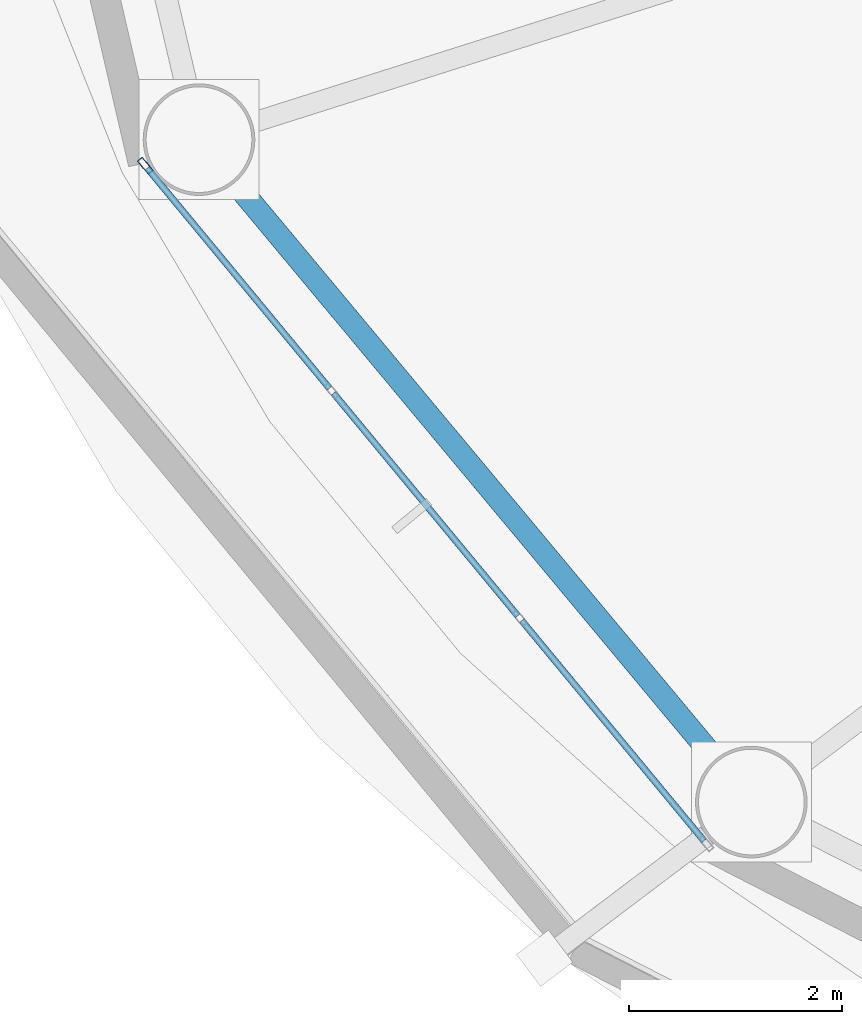
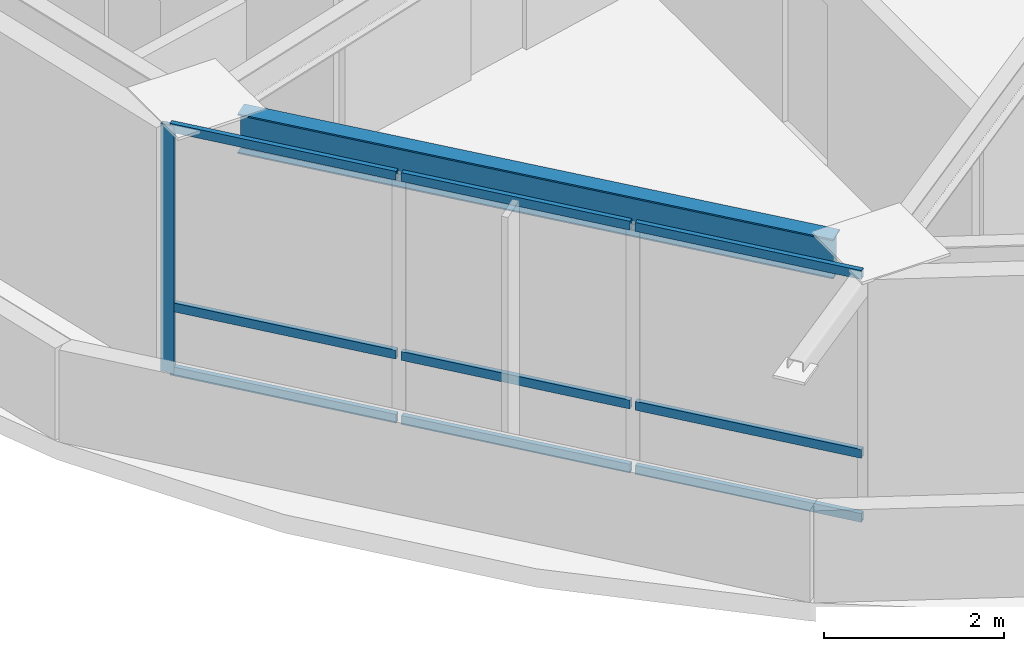
# One storey, part 3 of 22: 10 members, 1 beam, 1 element without a shape of its own.
"""IFC4 building model written with IfcOpenShell, lengths in metres."""

from ifc_helpers import new_model, si_unit, direction, frame, origin, origin_2d, place, context, subcontext, project, spatial, hollow_rectangle, i_section, extrude, material, layer, layer_set, material_profile, profile_set, type_object, element, aggregate, save


model = new_model("IFC4")

# Units and contexts
model_context = context("Model", 3, precision=1e-05, world=origin(), true_north=direction((0.0, 1.0)))
body_context = subcontext(model_context, "Body", "Model", "MODEL_VIEW")
ifc_project = project(units=[si_unit("LENGTHUNIT", "METRE"), si_unit("AREAUNIT", "SQUARE_METRE"), si_unit("VOLUMEUNIT", "CUBIC_METRE"), si_unit("PLANEANGLEUNIT", "RADIAN"), si_unit("MASSUNIT", "GRAM", prefix="KILO")], contexts=[model_context])

# Site, building, storey
site_placement = place(None, origin())
site = spatial("IfcSite", under=ifc_project, at=site_placement, CompositionType="ELEMENT")
building_placement = place(site_placement, origin())
building = spatial("IfcBuilding", under=site, at=building_placement, Name="Sarneth Arch Tower", CompositionType="ELEMENT")
storey_placement = place(building_placement, frame((0.0, 0.0, 206.39990234375)))
storey = spatial("IfcBuildingStorey", under=building, at=storey_placement, Name="L52", CompositionType="ELEMENT", Elevation=206.39990234375)

# Beam
ifc_material_1 = material(Name="Steel S355", Category="steel")
ifc_material_profile_1 = material_profile(ifc_material_1, i_section(OverallWidth=0.2109375, OverallDepth=0.5390625, WebThickness=0.01171875, FlangeThickness=0.018798828125, FilletRadius=0.01806640625, at=origin_2d()), Name="W530x109")
ifc_profile_set_1 = profile_set([ifc_material_profile_1], Name="Steel S355")
beam_type = type_object("IfcBeamType", Name="BM-RAD-530B", PredefinedType="BEAM", material=ifc_profile_set_1)
beam_placement = place(storey_placement, frame((25.16748046875, 34.249267578125, 3.090576171875), z_axis=(0.640364654985, -0.76807103099, 0.0), x_axis=(0.76807103099, 0.640364654985, 0.0)))
element("IfcBeam", 1, at=beam_placement, inside=storey, type_object=beam_type, Name="L52 Perimeter spandrel beam 10", PredefinedType="BEAM", context=body_context, shape_type="SweptSolid", body=[
    extrude(i_section(OverallWidth=0.2109375, OverallDepth=0.5390625, WebThickness=0.01171875, FlangeThickness=0.018798828125, FilletRadius=0.01806640625, at=origin_2d()), origin(), (0.0, 0.0, 1.0), 7.06005859375),
])

# Curtain wall, members
ifc_material_2 = material(Name="Anodised aluminium Type AA25 and solar-control low-e laminated IGU", Category="aluminium")
ifc_layer = layer(ifc_material_2, 0.179931640625)
ifc_layer_set = layer_set([ifc_layer], Name="Anodised aluminium Type AA25 and solar-control low-e laminated IGU")
curtain_wall_type = type_object("IfcCurtainWallType", Name="CW-RES-HIGH", PredefinedType="NOTDEFINED", material=ifc_layer_set)
curtain_wall_placement = place(storey_placement, origin())
curtain_wall = element("IfcCurtainWall", 2, at=curtain_wall_placement, inside=storey, type_object=curtain_wall_type, Name="L52 Unitised curtain wall facet 10", PredefinedType="NOTDEFINED")
ifc_material_3 = material(Name="Anodised Aluminium 6063-T6", Category="aluminium")
ifc_material_profile_2 = material_profile(ifc_material_3, hollow_rectangle(XDim=0.06005859375, YDim=0.159912109375, WallThickness=0.00390625, at=origin_2d()), Name="AL-MULL-160x60x4")
ifc_profile_set_2 = profile_set([ifc_material_profile_2], Name="Anodised Aluminium 6063-T6")
member_type_1 = type_object("IfcMemberType", Name="CW-MULLION", PredefinedType="MULLION", material=ifc_profile_set_2)
member_1_placement = place(storey_placement, frame((24.325439453125, 34.407470703125, 0.0), z_axis=(0.0, 0.0, 1.0), x_axis=(0.770359245933, 0.637610094184, 0.0)))
member_1 = element("IfcMember", 3, at=member_1_placement, type_object=member_type_1, Name="CW-SYS-6 mullion 1", PredefinedType="MULLION", context=body_context, shape_type="SweptSolid", body=[
    extrude(hollow_rectangle(XDim=0.06005859375, YDim=0.159912109375, WallThickness=0.00390625, at=origin_2d()), origin(), (0.0, 0.0, 1.0), 3.360107421875),
])
ifc_material_4 = material(Name="Anodised Aluminium 6063-T6", Category="aluminium")
ifc_material_profile_3 = material_profile(ifc_material_4, hollow_rectangle(XDim=0.06005859375, YDim=0.1201171875, WallThickness=0.00390625, at=origin_2d()), Name="AL-TRAN-120x60x4")
ifc_profile_set_3 = profile_set([ifc_material_profile_3], Name="Anodised Aluminium 6063-T6")
member_type_2 = type_object("IfcMemberType", Name="CW-TRANSOM", PredefinedType="USERDEFINED", material=ifc_profile_set_3)
member_2_placement = place(storey_placement, frame((24.344482421875, 34.38427734375, 0.030029296875), z_axis=(0.637651400067, -0.770325056059, 0.0), x_axis=(0.770325056059, 0.637651400067, 0.0)))
member_2 = element("IfcMember", 4, at=member_2_placement, type_object=member_type_2, Name="CW-SYS-6 transom 1.1", ObjectType="TRANSOM", PredefinedType="USERDEFINED", context=body_context, shape_type="SweptSolid", body=[
    extrude(hollow_rectangle(XDim=0.06005859375, YDim=0.1201171875, WallThickness=0.00390625, at=origin_2d()), origin(), (0.0, 0.0, 1.0), 2.6865234375),
])
member_3_placement = place(storey_placement, frame((24.344482421875, 34.38427734375, 0.900146484375), z_axis=(0.637651400067, -0.770325056059, 0.0), x_axis=(0.770325056059, 0.637651400067, 0.0)))
member_3 = element("IfcMember", 5, at=member_3_placement, type_object=member_type_2, Name="CW-SYS-6 transom 1.2", ObjectType="TRANSOM", PredefinedType="USERDEFINED", context=body_context, shape_type="SweptSolid", body=[
    extrude(hollow_rectangle(XDim=0.06005859375, YDim=0.1201171875, WallThickness=0.00390625, at=origin_2d()), origin(), (0.0, 0.0, 1.0), 2.6865234375),
])
member_4_placement = place(storey_placement, frame((24.344482421875, 34.38427734375, 3.330078125), z_axis=(0.637651400067, -0.770325056059, 0.0), x_axis=(0.770325056059, 0.637651400067, 0.0)))
member_4 = element("IfcMember", 6, at=member_4_placement, type_object=member_type_2, Name="CW-SYS-6 transom 1.3", ObjectType="TRANSOM", PredefinedType="USERDEFINED", context=body_context, shape_type="SweptSolid", body=[
    extrude(hollow_rectangle(XDim=0.06005859375, YDim=0.1201171875, WallThickness=0.00390625, at=origin_2d()), origin(), (0.0, 0.0, 1.0), 2.6865234375),
])
member_5_placement = place(storey_placement, frame((26.095703125, 32.268310546875, 0.030029296875), z_axis=(0.637617371902, -0.770353222261, 0.0), x_axis=(0.770353222261, 0.637617371902, 0.0)))
member_5 = element("IfcMember", 7, at=member_5_placement, type_object=member_type_2, Name="CW-SYS-6 transom 2.1", ObjectType="TRANSOM", PredefinedType="USERDEFINED", context=body_context, shape_type="SweptSolid", body=[
    extrude(hollow_rectangle(XDim=0.06005859375, YDim=0.1201171875, WallThickness=0.00390625, at=origin_2d()), origin(), (0.0, 0.0, 1.0), 2.716552734375),
])
member_6_placement = place(storey_placement, frame((26.095703125, 32.268310546875, 0.900146484375), z_axis=(0.637617371902, -0.770353222261, 0.0), x_axis=(0.770353222261, 0.637617371902, 0.0)))
member_6 = element("IfcMember", 8, at=member_6_placement, type_object=member_type_2, Name="CW-SYS-6 transom 2.2", ObjectType="TRANSOM", PredefinedType="USERDEFINED", context=body_context, shape_type="SweptSolid", body=[
    extrude(hollow_rectangle(XDim=0.06005859375, YDim=0.1201171875, WallThickness=0.00390625, at=origin_2d()), origin(), (0.0, 0.0, 1.0), 2.716552734375),
])
member_7_placement = place(storey_placement, frame((26.095703125, 32.268310546875, 3.330078125), z_axis=(0.637617371902, -0.770353222261, 0.0), x_axis=(0.770353222261, 0.637617371902, 0.0)))
member_7 = element("IfcMember", 9, at=member_7_placement, type_object=member_type_2, Name="CW-SYS-6 transom 2.3", ObjectType="TRANSOM", PredefinedType="USERDEFINED", context=body_context, shape_type="SweptSolid", body=[
    extrude(hollow_rectangle(XDim=0.06005859375, YDim=0.1201171875, WallThickness=0.00390625, at=origin_2d()), origin(), (0.0, 0.0, 1.0), 2.716552734375),
])
member_8_placement = place(storey_placement, frame((27.8662109375, 30.12939453125, 0.030029296875), z_axis=(0.637606765719, -0.770362000821, 0.0), x_axis=(0.770362000821, 0.637606765719, 0.0)))
member_8 = element("IfcMember", 10, at=member_8_placement, type_object=member_type_2, Name="CW-SYS-6 transom 3.1", ObjectType="TRANSOM", PredefinedType="USERDEFINED", context=body_context, shape_type="SweptSolid", body=[
    extrude(hollow_rectangle(XDim=0.06005859375, YDim=0.1201171875, WallThickness=0.00390625, at=origin_2d()), origin(), (0.0, 0.0, 1.0), 2.686767578125),
])
member_9_placement = place(storey_placement, frame((27.8662109375, 30.12939453125, 0.900146484375), z_axis=(0.637606765719, -0.770362000821, 0.0), x_axis=(0.770362000821, 0.637606765719, 0.0)))
member_9 = element("IfcMember", 11, at=member_9_placement, type_object=member_type_2, Name="CW-SYS-6 transom 3.2", ObjectType="TRANSOM", PredefinedType="USERDEFINED", context=body_context, shape_type="SweptSolid", body=[
    extrude(hollow_rectangle(XDim=0.06005859375, YDim=0.1201171875, WallThickness=0.00390625, at=origin_2d()), origin(), (0.0, 0.0, 1.0), 2.686767578125),
])
member_10_placement = place(storey_placement, frame((27.8662109375, 30.12939453125, 3.330078125), z_axis=(0.637606765719, -0.770362000821, 0.0), x_axis=(0.770362000821, 0.637606765719, 0.0)))
member_10 = element("IfcMember", 12, at=member_10_placement, type_object=member_type_2, Name="CW-SYS-6 transom 3.3", ObjectType="TRANSOM", PredefinedType="USERDEFINED", context=body_context, shape_type="SweptSolid", body=[
    extrude(hollow_rectangle(XDim=0.06005859375, YDim=0.1201171875, WallThickness=0.00390625, at=origin_2d()), origin(), (0.0, 0.0, 1.0), 2.686767578125),
])
aggregate(curtain_wall, [member_1, member_2, member_3, member_4, member_5, member_6, member_7, member_8, member_9, member_10])

save(model, "model.ifc")
